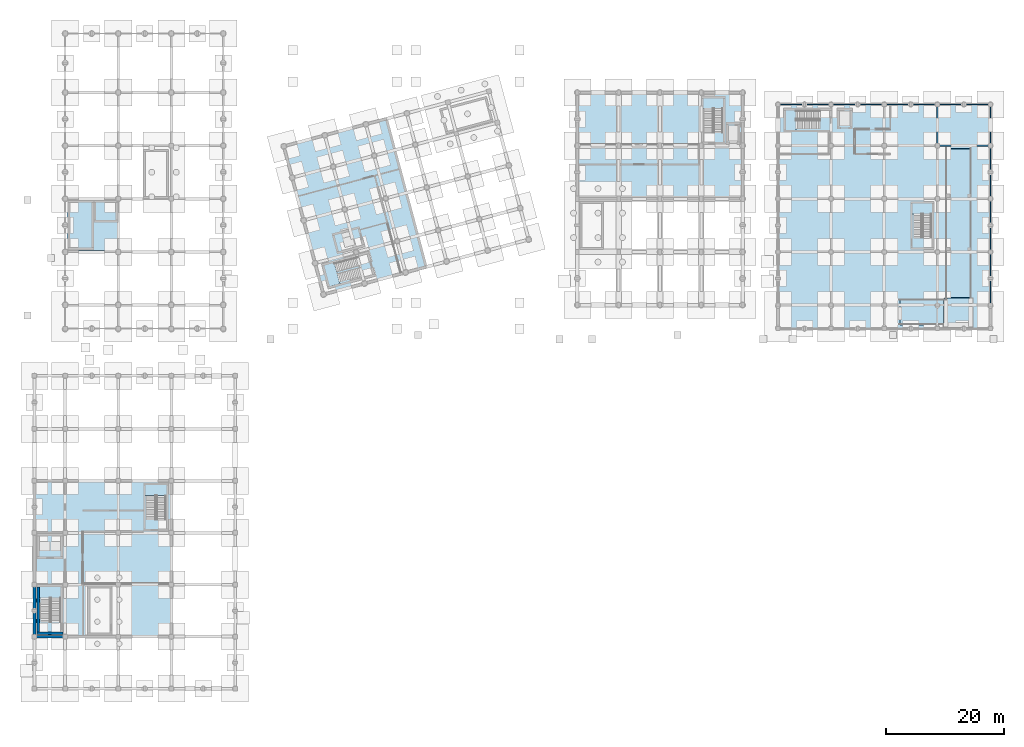
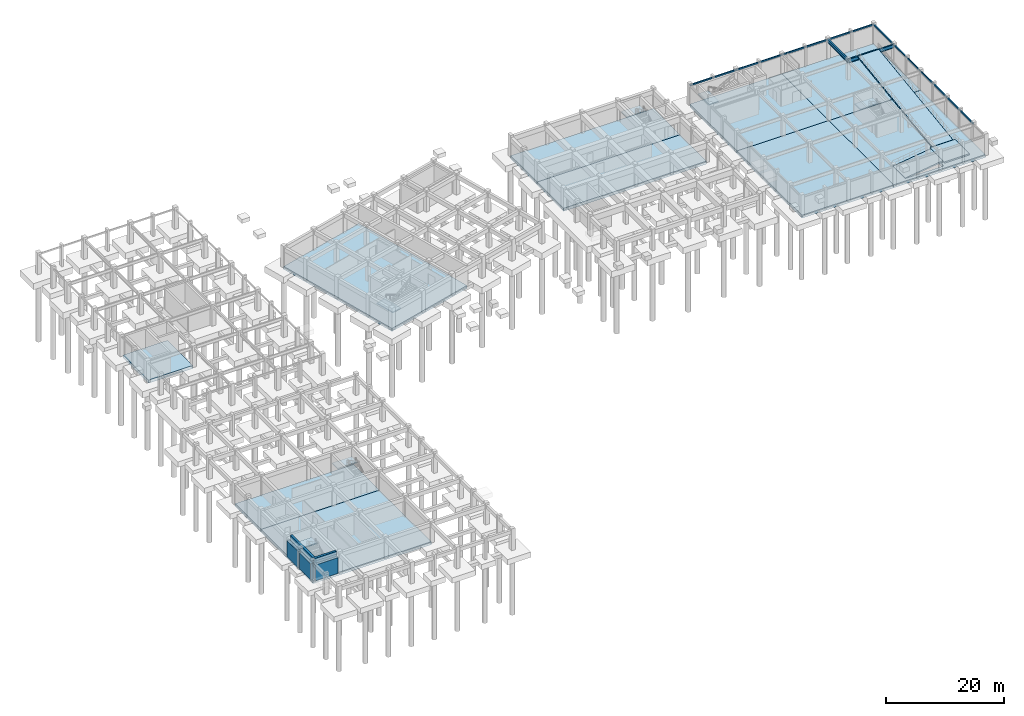
# One storey, part 10 of 20: 19 slabs, 17 beams, 5 walls, 6 elements without a shape of their own.
"""IFC4 building model written with IfcOpenShell, lengths in metres."""

from ifc_helpers import new_model, si_unit, direction, frame, frame_2d, origin, origin_2d, place, context, subcontext, project, spatial, polyline, rectangle, hollow_rectangle, i_section, outline, extrude, material, layer, layer_set, material_profile, profile_set, type_object, element, aggregate, save


model = new_model("IFC4")

# Units and contexts
model_context = context("Model", 3, precision=1e-05, world=origin(), true_north=direction((0.0, 1.0)))
body_context = subcontext(model_context, "Body", "Model", "MODEL_VIEW")
ifc_project = project(units=[si_unit("LENGTHUNIT", "METRE"), si_unit("AREAUNIT", "SQUARE_METRE"), si_unit("VOLUMEUNIT", "CUBIC_METRE"), si_unit("PLANEANGLEUNIT", "RADIAN"), si_unit("MASSUNIT", "GRAM", prefix="KILO")], contexts=[model_context])

# Site, building, storey
site_placement = place(None, origin())
site = spatial("IfcSite", under=ifc_project, at=site_placement, CompositionType="ELEMENT")
building_placement = place(site_placement, origin())
building = spatial("IfcBuilding", under=site, at=building_placement, Name="Ventoquebrada Cableway Terminal", CompositionType="ELEMENT")
storey_placement = place(building_placement, frame((0.0, 0.0, -4.5)))
storey = spatial("IfcBuildingStorey", under=building, at=storey_placement, Name="B1", CompositionType="ELEMENT", Elevation=-4.5)

# Beams
ifc_material_1 = material(Name="Steel ASTM A992 Grade 50", Category="steel")
ifc_material_profile_1 = material_profile(ifc_material_1, i_section(OverallWidth=0.26708984375, OverallDepth=0.761962890625, WebThickness=0.014404296875, FlangeThickness=0.021484375, at=origin_2d()), Name="W30X116")
ifc_profile_set_1 = profile_set([ifc_material_profile_1], Name="Steel ASTM A992 Grade 50")
beam_type_1 = type_object("IfcBeamType", Name="BM-ST05", PredefinedType="BEAM", material=ifc_profile_set_1)
beam_1_placement = place(storey_placement, frame((156.0, 95.0, 3.759033203125), z_axis=(1.0, 0.0, 0.0), x_axis=(0.0, 1.0, 0.0)))
element("IfcBeam", 1, at=beam_1_placement, inside=storey, type_object=beam_type_1, Name="Primary frame girder FBM-0724", PredefinedType="BEAM", context=body_context, shape_type="SweptSolid", body=[
    extrude(i_section(OverallWidth=0.26708984375, OverallDepth=0.761962890625, WebThickness=0.014404296875, FlangeThickness=0.021484375, at=origin_2d()), origin(), (0.0, 0.0, 1.0), 9.0),
])
beam_2_placement = place(storey_placement, frame((156.0, 95.0, 3.759033203125), z_axis=(0.0, 1.0, 0.0), x_axis=(-1.0, 0.0, 0.0)))
element("IfcBeam", 2, at=beam_2_placement, inside=storey, type_object=beam_type_1, Name="Primary frame girder FBM-0755", PredefinedType="BEAM", context=body_context, shape_type="SweptSolid", body=[
    extrude(i_section(OverallWidth=0.26708984375, OverallDepth=0.761962890625, WebThickness=0.014404296875, FlangeThickness=0.021484375, at=origin_2d()), origin(), (0.0, 0.0, 1.0), 7.0),
])
ifc_material_2 = material(Name="Steel ASTM A500 Grade C", Category="steel")
ifc_material_profile_2 = material_profile(ifc_material_2, hollow_rectangle(XDim=0.199951171875, YDim=0.300048828125, WallThickness=0.012451171875, at=origin_2d()), Name="RHS300X200X12.5")
ifc_profile_set_2 = profile_set([ifc_material_profile_2], Name="Steel ASTM A500 Grade C")
beam_type_2 = type_object("IfcBeamType", Name="SP-ST02", PredefinedType="SPANDREL", material=ifc_profile_set_2)
for number, where, z_axis, x_axis, name in (
    (3, (129.0, 102.0, 3.929931640625), (1.0, 0.0, 0.0), (0.0, 1.0, 0.0), "Perimeter spandrel beam FBM-0725"),
    (4, (133.5, 102.0, 3.929931640625), (1.0, 0.0, 0.0), (0.0, 1.0, 0.0), "Perimeter spandrel beam FBM-0726"),
    (5, (138.0, 102.0, 3.929931640625), (1.0, 0.0, 0.0), (0.0, 1.0, 0.0), "Perimeter spandrel beam FBM-0727"),
    (6, (142.5, 102.0, 3.929931640625), (1.0, 0.0, 0.0), (0.0, 1.0, 0.0), "Perimeter spandrel beam FBM-0728"),
    (7, (147.0, 102.0, 3.929931640625), (1.0, 0.0, 0.0), (0.0, 1.0, 0.0), "Perimeter spandrel beam FBM-0729"),
    (8, (151.5, 102.0, 3.929931640625), (1.0, 0.0, 0.0), (0.0, 1.0, 0.0), "Perimeter spandrel beam FBM-0730"),
    (9, (156.0, 102.0, 3.929931640625), (1.0, 0.0, 0.0), (0.0, 1.0, 0.0), "Perimeter spandrel beam FBM-0731"),
    (10, (160.5, 102.0, 3.929931640625), (1.0, 0.0, 0.0), (0.0, 1.0, 0.0), "Perimeter spandrel beam FBM-0732"),
    (11, (165.0, 68.0, 3.929931640625), (0.0, 1.0, 0.0), (-1.0, 0.0, 0.0), "Perimeter spandrel beam FBM-0757"),
    (12, (165.0, 72.5, 3.929931640625), (0.0, 1.0, 0.0), (-1.0, 0.0, 0.0), "Perimeter spandrel beam FBM-0758"),
    (13, (165.0, 77.0, 3.929931640625), (0.0, 1.0, 0.0), (-1.0, 0.0, 0.0), "Perimeter spandrel beam FBM-0759"),
    (14, (165.0, 81.5, 3.929931640625), (0.0, 1.0, 0.0), (-1.0, 0.0, 0.0), "Perimeter spandrel beam FBM-0760"),
    (15, (165.0, 86.0, 3.929931640625), (0.0, 1.0, 0.0), (-1.0, 0.0, 0.0), "Perimeter spandrel beam FBM-0761"),
    (16, (165.0, 90.5, 3.929931640625), (0.0, 1.0, 0.0), (-1.0, 0.0, 0.0), "Perimeter spandrel beam FBM-0762"),
):
    element("IfcBeam", number, at=place(storey_placement, frame(where, z_axis=z_axis, x_axis=x_axis)), inside=storey, type_object=beam_type_2, Name=name, PredefinedType="SPANDREL", context=body_context, shape_type="SweptSolid", body=[
        extrude(hollow_rectangle(XDim=0.199951171875, YDim=0.300048828125, WallThickness=0.012451171875, at=origin_2d()), origin(), (0.0, 0.0, 1.0), 4.5),
    ])
beam_3_placement = place(storey_placement, frame((165.0, 95.0, 3.929931640625), z_axis=(0.0, 1.0, 0.0), x_axis=(-1.0, 0.0, 0.0)))
element("IfcBeam", 17, at=beam_3_placement, inside=storey, type_object=beam_type_2, Name="Perimeter spandrel beam FBM-0763", PredefinedType="SPANDREL", context=body_context, shape_type="SweptSolid", body=[
    extrude(hollow_rectangle(XDim=0.199951171875, YDim=0.300048828125, WallThickness=0.012451171875, at=origin_2d()), origin(), (0.0, 0.0, 1.0), 7.0),
])

# Slabs
ifc_material_3 = material(Name="Concrete C40/50", Category="concrete")
ifc_layer_1 = layer(ifc_material_3, 0.6201171875)
ifc_layer_set_1 = layer_set([ifc_layer_1], Name="Concrete C40/50")
slab_type_1 = type_object("IfcSlabType", Name="SL-BS1", PredefinedType="BASESLAB", material=ifc_layer_set_1)
slab_1_placement = place(storey_placement, frame((0.0, 0.0, -0.6201171875)))
element("IfcSlab", 18, at=slab_1_placement, inside=storey, type_object=slab_type_1, Name="Structural base slab SL-001", PredefinedType="BASESLAB", context=body_context, shape_type="SweptSolid", body=[
    extrude(outline(polyline([(26.199951171875, 11.800048828125), (26.199951171875, 29.39990234375), (3.0, 29.39990234375), (3.0, 11.800048828125), (26.199951171875, 11.800048828125)])), origin(), (0.0, 0.0, 1.0), 0.6201171875),
])
slab_2_placement = place(storey_placement, frame((0.0, 0.0, -0.6201171875)))
element("IfcSlab", 19, at=slab_2_placement, inside=storey, type_object=slab_type_1, Name="Structural base slab SL-002", PredefinedType="BASESLAB", context=body_context, shape_type="SweptSolid", body=[
    extrude(outline(polyline([(26.199951171875, 29.39990234375), (26.199951171875, 38.199951171875), (3.0, 38.199951171875), (3.0, 29.39990234375), (26.199951171875, 29.39990234375)])), origin(), (0.0, 0.0, 1.0), 0.6201171875),
])
slab_3_placement = place(storey_placement, frame((0.0, 0.0, -0.6201171875)))
element("IfcSlab", 20, at=slab_3_placement, inside=storey, type_object=slab_type_1, Name="Structural base slab SL-033", PredefinedType="BASESLAB", context=body_context, shape_type="SweptSolid", body=[
    extrude(outline(polyline([(123.0, 86.0), (123.0, 95.0), (95.0, 95.0), (95.0, 86.0), (123.0, 86.0)])), origin(), (0.0, 0.0, 1.0), 0.6201171875),
])
slab_4_placement = place(storey_placement, frame((0.0, 0.0, -0.6201171875)))
element("IfcSlab", 21, at=slab_4_placement, inside=storey, type_object=slab_type_1, Name="Structural base slab SL-034", PredefinedType="BASESLAB", context=body_context, shape_type="SweptSolid", body=[
    extrude(outline(polyline([(123.0, 95.0), (123.0, 104.0), (95.0, 104.0), (95.0, 95.0), (123.0, 95.0)])), origin(), (0.0, 0.0, 1.0), 0.6201171875),
])
slab_5_placement = place(storey_placement, frame((0.0, 0.0, -0.6201171875)))
element("IfcSlab", 22, at=slab_5_placement, inside=storey, type_object=slab_type_1, Name="Structural base slab SL-047", PredefinedType="BASESLAB", context=body_context, shape_type="SweptSolid", body=[
    extrude(outline(polyline([(147.0, 64.0), (147.0, 86.0), (129.0, 86.0), (129.0, 64.0), (147.0, 64.0)])), origin(), (0.0, 0.0, 1.0), 0.6201171875),
])
slab_6_placement = place(storey_placement, frame((0.0, 0.0, -0.6201171875)))
element("IfcSlab", 23, at=slab_6_placement, inside=storey, type_object=slab_type_1, Name="Structural base slab SL-048", PredefinedType="BASESLAB", context=body_context, shape_type="SweptSolid", body=[
    extrude(outline(polyline([(147.0, 86.0), (147.0, 102.0), (129.0, 102.0), (129.0, 86.0), (147.0, 86.0)])), origin(), (0.0, 0.0, 1.0), 0.6201171875),
])
slab_7_placement = place(storey_placement, frame((0.0, 0.0, -0.6201171875)))
element("IfcSlab", 24, at=slab_7_placement, inside=storey, type_object=slab_type_1, Name="Structural base slab SL-049", PredefinedType="BASESLAB", context=body_context, shape_type="SweptSolid", body=[
    extrude(outline(polyline([(165.0, 64.0), (165.0, 86.0), (147.0, 86.0), (147.0, 64.0), (165.0, 64.0)]), holes=[polyline([(157.14990234375, 64.64990234375), (149.669921875, 64.64990234375), (149.669921875, 68.949951171875), (157.14990234375, 68.949951171875), (157.14990234375, 64.64990234375)])]), origin(), (0.0, 0.0, 1.0), 0.6201171875),
])
slab_8_placement = place(storey_placement, frame((0.0, 0.0, -0.6201171875)))
element("IfcSlab", 25, at=slab_8_placement, inside=storey, type_object=slab_type_1, Name="Structural base slab SL-050", PredefinedType="BASESLAB", context=body_context, shape_type="SweptSolid", body=[
    extrude(outline(polyline([(165.0, 86.0), (165.0, 102.0), (147.0, 102.0), (147.0, 86.0), (165.0, 86.0)])), origin(), (0.0, 0.0, 1.0), 0.6201171875),
])
slab_9_placement = place(storey_placement, frame((0.0, 0.0, -0.6201171875)))
element("IfcSlab", 26, at=slab_9_placement, inside=storey, type_object=slab_type_1, Name="Core structural base slab SL-063", PredefinedType="BASESLAB", context=body_context, shape_type="SweptSolid", body=[
    extrude(outline(polyline([(17.199951171875, 77.199951171875), (17.199951171875, 85.800048828125), (8.5, 85.800048828125), (8.5, 77.199951171875), (17.199951171875, 77.199951171875)])), origin(), (0.0, 0.0, 1.0), 0.6201171875),
])
slab_10_placement = place(storey_placement, frame((0.0, 0.0, -0.6201171875)))
element("IfcSlab", 27, at=slab_10_placement, inside=storey, type_object=slab_type_1, Name="Splayed station base slab SL-068", PredefinedType="BASESLAB", context=body_context, shape_type="SweptSolid", body=[
    extrude(outline(polyline([(51.97802734375, 69.783935546875), (69.364990234375, 74.443115234375), (62.635009765625, 99.556884765625), (45.2490234375, 94.89794921875), (51.97802734375, 69.783935546875)])), origin(), (0.0, 0.0, 1.0), 0.6201171875),
])

# Stair, slab
stair_type_1 = type_object("IfcStairType", Name="ST-T01", PredefinedType="HALF_TURN_STAIR", material=ifc_material_3)
stair_1_placement = place(storey_placement, origin())
stair_1 = element("IfcStair", 28, at=stair_1_placement, inside=storey, type_object=stair_type_1, Name="Protected half-turn stair ST-01", PredefinedType="HALF_TURN_STAIR")
ifc_layer_2 = layer(ifc_material_3, 0.219970703125)
ifc_layer_set_2 = layer_set([ifc_layer_2], Name="Concrete C40/50")
slab_type_2 = type_object("IfcSlabType", Name="SL-LD1", PredefinedType="LANDING", material=ifc_layer_set_2)
slab_11_placement = place(storey_placement, frame((0.0, 0.0, 2.030029296875)))
slab_11 = element("IfcSlab", 29, at=slab_11_placement, type_object=slab_type_2, Name="Intermediate stair landing LDG-001", PredefinedType="LANDING", context=body_context, shape_type="SweptSolid", body=[
    extrude(outline(polyline([(7.7099609375, 18.340087890625), (7.7099609375, 20.31005859375), (3.72998046875, 20.31005859375), (3.72998046875, 18.340087890625), (7.7099609375, 18.340087890625)])), origin(), (0.0, 0.0, 1.0), 0.219970703125),
])
aggregate(stair_1, [slab_11])

stair_type_2 = type_object("IfcStairType", Name="ST-T02", PredefinedType="HALF_TURN_STAIR", material=ifc_material_3)
stair_2_placement = place(storey_placement, origin())
stair_2 = element("IfcStair", 30, at=stair_2_placement, inside=storey, type_object=stair_type_2, Name="Protected half-turn stair ST-02", PredefinedType="HALF_TURN_STAIR")
slab_12_placement = place(storey_placement, frame((0.0, 0.0, 2.030029296875)))
slab_12 = element("IfcSlab", 31, at=slab_12_placement, type_object=slab_type_2, Name="Intermediate stair landing LDG-002", PredefinedType="LANDING", context=body_context, shape_type="SweptSolid", body=[
    extrude(outline(polyline([(25.56005859375, 35.68994140625), (25.56005859375, 37.610107421875), (21.679931640625, 37.610107421875), (21.679931640625, 35.68994140625), (25.56005859375, 35.68994140625)])), origin(), (0.0, 0.0, 1.0), 0.219970703125),
])
aggregate(stair_2, [slab_12])

stair_3_placement = place(storey_placement, origin())
stair_3 = element("IfcStair", 32, at=stair_3_placement, inside=storey, type_object=stair_type_2, Name="Protected half-turn stair ST-20", PredefinedType="HALF_TURN_STAIR")
slab_13_placement = place(storey_placement, frame((0.0, 0.0, 2.030029296875)))
slab_13 = element("IfcSlab", 33, at=slab_13_placement, type_object=slab_type_2, Name="Intermediate stair landing LDG-020", PredefinedType="LANDING", context=body_context, shape_type="SweptSolid", body=[
    extrude(outline(polyline([(53.760009765625, 75.344970703125), (51.905029296875, 74.847900390625), (52.908935546875, 71.10009765625), (54.763916015625, 71.596923828125), (53.760009765625, 75.344970703125)])), origin(), (0.0, 0.0, 1.0), 0.219970703125),
])
aggregate(stair_3, [slab_13])

stair_type_3 = type_object("IfcStairType", Name="ST-T07", PredefinedType="HALF_TURN_STAIR", material=ifc_material_3)
stair_4_placement = place(storey_placement, origin())
stair_4 = element("IfcStair", 34, at=stair_4_placement, inside=storey, type_object=stair_type_3, Name="Protected half-turn stair ST-21", PredefinedType="HALF_TURN_STAIR")
slab_14_placement = place(storey_placement, frame((0.0, 0.0, 2.030029296875)))
slab_14 = element("IfcSlab", 35, at=slab_14_placement, type_object=slab_type_2, Name="Intermediate stair landing LDG-021", PredefinedType="LANDING", context=body_context, shape_type="SweptSolid", body=[
    extrude(outline(polyline([(119.909912109375, 101.2900390625), (119.909912109375, 103.2099609375), (116.22998046875, 103.2099609375), (116.22998046875, 101.2900390625), (119.909912109375, 101.2900390625)])), origin(), (0.0, 0.0, 1.0), 0.219970703125),
])
aggregate(stair_4, [slab_14])

stair_5_placement = place(storey_placement, origin())
stair_5 = element("IfcStair", 36, at=stair_5_placement, inside=storey, type_object=stair_type_3, Name="Protected half-turn stair ST-22", PredefinedType="HALF_TURN_STAIR")
slab_15_placement = place(storey_placement, frame((0.0, 0.0, 2.030029296875)))
slab_15 = element("IfcSlab", 37, at=slab_15_placement, type_object=slab_type_2, Name="Intermediate stair landing LDG-022", PredefinedType="LANDING", context=body_context, shape_type="SweptSolid", body=[
    extrude(outline(polyline([(132.06005859375, 101.2099609375), (130.139892578125, 101.2099609375), (130.139892578125, 97.530029296875), (132.06005859375, 97.530029296875), (132.06005859375, 101.2099609375)])), origin(), (0.0, 0.0, 1.0), 0.219970703125),
])
aggregate(stair_5, [slab_15])

stair_type_4 = type_object("IfcStairType", Name="ST-T08", PredefinedType="HALF_TURN_STAIR", material=ifc_material_3)
stair_6_placement = place(storey_placement, origin())
stair_6 = element("IfcStair", 38, at=stair_6_placement, inside=storey, type_object=stair_type_4, Name="Protected half-turn stair ST-23", PredefinedType="HALF_TURN_STAIR")
slab_16_placement = place(storey_placement, frame((0.0, 0.0, 2.030029296875)))
slab_16 = element("IfcSlab", 39, at=slab_16_placement, type_object=slab_type_2, Name="Intermediate stair landing LDG-023", PredefinedType="LANDING", context=body_context, shape_type="SweptSolid", body=[
    extrude(outline(polyline([(155.260009765625, 83.43994140625), (155.260009765625, 85.360107421875), (151.679931640625, 85.360107421875), (151.679931640625, 83.43994140625), (155.260009765625, 83.43994140625)])), origin(), (0.0, 0.0, 1.0), 0.219970703125),
])
aggregate(stair_6, [slab_16])

# Slabs
ifc_layer_3 = layer(ifc_material_3, 0.280029296875)
ifc_layer_set_3 = layer_set([ifc_layer_3], Name="Concrete C40/50")
slab_type_3 = type_object("IfcSlabType", Name="SL-RMP1", PredefinedType="FLOOR", material=ifc_layer_set_3)
slab_17_placement = place(storey_placement, frame((149.713623046875, 64.75, -0.25439453125), z_axis=(-0.137936493773, 0.0, 0.990441075322), x_axis=(0.990441075322, 0.0, 0.137936493773)))
element("IfcSlab", 40, at=slab_17_placement, inside=storey, type_object=slab_type_3, Name="Structural vehicle ramp lower slab SL-117", PredefinedType="FLOOR", context=body_context, shape_type="SweptSolid", body=[
    extrude(outline(polyline([(0.0, 0.0), (7.446177449374832, 0.0), (7.446177449374832, 4.10009765625), (0.0, 4.10009765625), (0.0, 0.0)])), origin(), (0.0, 0.0, 1.0), 0.280029296875),
])
slab_18_placement = place(storey_placement, frame((157.550048828125, 69.2880859375, 0.772705078125), z_axis=(0.0, -0.135637896584, 0.990758477637), x_axis=(1.0, 0.0, 0.0)))
element("IfcSlab", 41, at=slab_18_placement, inside=storey, type_object=slab_type_3, Name="Structural vehicle ramp upper slab SL-118", PredefinedType="FLOOR", context=body_context, shape_type="SweptSolid", body=[
    extrude(outline(polyline([(0.0, 0.0), (4.099853515625, 0.0), (4.099853515625, 25.435009379852914), (0.0, 25.435009379852914), (0.0, 0.0)])), origin(), (0.0, 0.0, 1.0), 0.280029296875),
])
slab_19_placement = place(storey_placement, frame((0.0, 0.0, 0.77001953125)))
element("IfcSlab", 42, at=slab_19_placement, inside=storey, type_object=slab_type_3, Name="Structural vehicle ramp turning landing slab RLD-01", PredefinedType="FLOOR", context=body_context, shape_type="SweptSolid", body=[
    extrude(outline(polyline([(157.10009765625, 64.300048828125), (162.0, 64.300048828125), (162.0, 69.199951171875), (157.10009765625, 69.199951171875), (157.10009765625, 64.300048828125)])), origin(), (0.0, 0.0, 1.0), 0.280029296875),
])

# Walls
ifc_layer_4 = layer(ifc_material_3, 0.39990234375)
ifc_layer_set_4 = layer_set([ifc_layer_4], Name="Concrete C40/50")
wall_type_1 = type_object("IfcWallType", Name="WL-CR1", PredefinedType="SHEAR", material=ifc_layer_set_4)
wall_1_placement = place(storey_placement, frame((3.449951171875, 12.39990234375, 0.0), z_axis=(0.0, 0.0, 1.0), x_axis=(1.0, 0.0, 0.0)))
element("IfcWall", 43, at=wall_1_placement, inside=storey, type_object=wall_type_1, Name="Core shear wall IW-0001", PredefinedType="SHEAR", context=body_context, shape_type="SweptSolid", body=[
    extrude(rectangle(XDim=4.400146484375, YDim=0.39990234375, at=frame_2d((2.2001953125, 0.0))), origin(), (0.0, 0.0, 1.0), 4.18994140625),
])
wall_2_placement = place(storey_placement, frame((3.64990234375, 20.25, 0.0), z_axis=(0.0, 0.0, 1.0), x_axis=(0.0, -1.0, 0.0)))
element("IfcWall", 44, at=wall_2_placement, inside=storey, type_object=wall_type_1, Name="Core shear wall IW-0004", PredefinedType="SHEAR", context=body_context, shape_type="SweptSolid", body=[
    extrude(rectangle(XDim=7.64990234375, YDim=0.39990234375, at=frame_2d((3.824951171875, 0.0))), origin(), (0.0, 0.0, 1.0), 4.18994140625),
])
ifc_material_4 = material(Name="Concrete C45/55", Category="concrete")
ifc_layer_5 = layer(ifc_material_4, 0.449951171875)
ifc_layer_set_5 = layer_set([ifc_layer_5], Name="Concrete C45/55")
wall_type_2 = type_object("IfcWallType", Name="WL-RT1", PredefinedType="USERDEFINED", material=ifc_layer_set_5)
wall_3_placement = place(storey_placement, frame((3.3701171875, 11.800048828125, 0.0), z_axis=(0.0, 0.0, 1.0), x_axis=(1.0, 0.0, 0.0)))
element("IfcWall", 45, at=wall_3_placement, inside=storey, type_object=wall_type_2, Name="Perimeter basement retaining wall EW-0001", ObjectType="RETAINING WALL", PredefinedType="USERDEFINED", context=body_context, shape_type="SweptSolid", body=[
    extrude(rectangle(XDim=4.4599609375, YDim=0.449951171875, at=frame_2d((2.22998046875, 0.0))), origin(), (0.0, 0.0, 1.0), 3.284912109375),
])
for number, where, z_axis, x_axis, name in (
    (46, (3.0, 20.22998046875, 0.0), (0.0, 0.0, 1.0), (0.0, -1.0, 0.0), "Perimeter basement retaining wall EW-0013"),
    (47, (3.0, 15.97998046875, 0.0), (0.0, 0.0, 1.0), (0.0, -1.0, 0.0), "Perimeter basement retaining wall EW-0014"),
):
    element("IfcWall", number, at=place(storey_placement, frame(where, z_axis=z_axis, x_axis=x_axis)), inside=storey, type_object=wall_type_2, Name=name, ObjectType="RETAINING WALL", PredefinedType="USERDEFINED", context=body_context, shape_type="SweptSolid", body=[
        extrude(rectangle(XDim=3.81005859375, YDim=0.449951171875, at=frame_2d((1.905029296875, 0.0))), origin(), (0.0, 0.0, 1.0), 3.324951171875),
    ])

save(model, "model.ifc")
